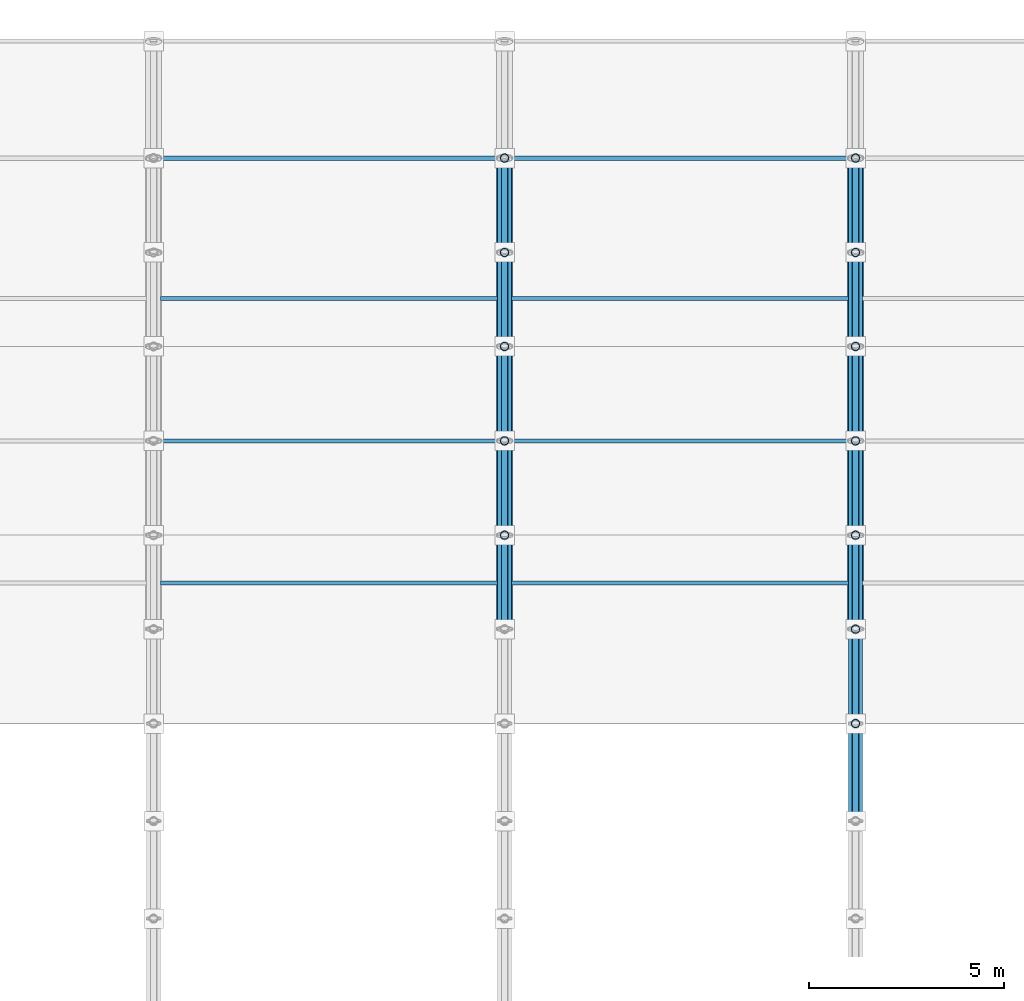
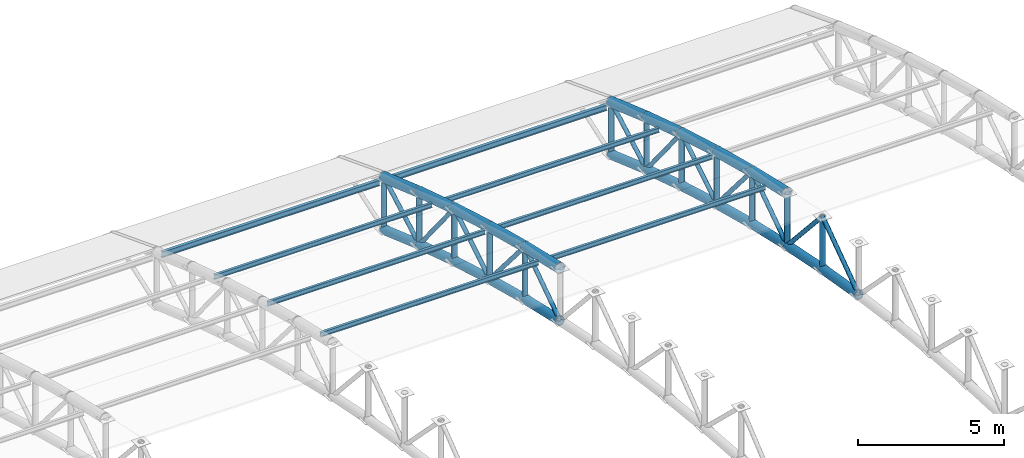
# One storey, part 89 of 195: 54 members.
"""IFC4 building model written with IfcOpenShell, lengths in metres."""

import ifcopenshell
import ifcopenshell.guid

model = None  # the IFC model being written
_history = None  # IfcOwnerHistory: only IFC2X3 demands one
_inside = {}  # id of a spatial element -> (the spatial element, [elements in it])
_under = {}  # id of a project, library or spatial element -> (it, [spatial elements below it])
_declared = {}  # id of a project -> (the project, [libraries it declares])
_typed = {}  # id of a type object -> (the type object, [elements of that type])
_made_of = {}  # id of a material, layer set ... -> (it, [elements and type objects made of it])


def new_model(schema):
    """Start an empty IFC model of exactly this schema.

    Asked for "IFC4X3", IfcOpenShell would pick the latest addendum, in which some entities
    have other attributes; the version numbers below select the first issue.
    IFC2X3 requires an IfcOwnerHistory on every rooted entity: one is made here for all.
    """
    global model, _history
    if schema == "IFC4X3":
        model = ifcopenshell.file(schema_version=(4, 3, 0, 0))
    else:
        model = ifcopenshell.file(schema=schema)
    _inside.clear()
    _under.clear()
    _declared.clear()
    _typed.clear()
    _made_of.clear()
    _history = None
    if model.schema == "IFC2X3":
        org = make("IfcOrganization", Name="unknown")
        user = make(
            "IfcPersonAndOrganization",
            ThePerson=make("IfcPerson", FamilyName="unknown"),
            TheOrganization=org,
        )
        app = make(
            "IfcApplication",
            ApplicationDeveloper=org,
            Version="unknown",
            ApplicationFullName="unknown",
            ApplicationIdentifier="unknown",
        )
        _history = make(
            "IfcOwnerHistory",
            OwningUser=user,
            OwningApplication=app,
            ChangeAction="ADDED",
            CreationDate=0,
        )
    return model


def make(cls, **values):
    """One entity of the class cls with the attributes given. An attribute that is None is left unset."""
    return model.create_entity(
        cls, **{name: value for name, value in values.items() if value is not None}
    )


def rooted(cls, **values):
    """An entity with a GlobalId (a new one), such as an element, a storey or a relation."""
    return make(cls, GlobalId=ifcopenshell.guid.new(), OwnerHistory=_history, **values)


def si_unit(unit_type, name, prefix=None):
    """IfcSIUnit, for example si_unit("LENGTHUNIT", "METRE", prefix="MILLI")."""
    return make("IfcSIUnit", UnitType=unit_type, Prefix=prefix, Name=name)


def assignment(units):
    """IfcUnitAssignment: the units of a project."""
    return None if units is None else make("IfcUnitAssignment", Units=units)


def point(xyz):
    """IfcCartesianPoint."""
    return None if xyz is None else make("IfcCartesianPoint", Coordinates=xyz)


def direction(xyz):
    """IfcDirection."""
    return None if xyz is None else make("IfcDirection", DirectionRatios=xyz)


def frame(location, z_axis=None, x_axis=None):
    """IfcAxis2Placement3D, a coordinate frame: its origin and axes. An axis left out is left unset."""
    return make(
        "IfcAxis2Placement3D",
        Location=point(location),
        Axis=direction(z_axis),
        RefDirection=direction(x_axis),
    )


def frame_2d(location, x_axis=None):
    """IfcAxis2Placement2D, a coordinate frame in the plane: its origin and x axis."""
    return make(
        "IfcAxis2Placement2D", Location=point(location), RefDirection=direction(x_axis)
    )


def origin():
    """The frame at (0, 0, 0) with its axes left unset."""
    return frame((0.0, 0.0, 0.0))


def origin_2d():
    """The frame at (0, 0) in the plane with its x axis left unset."""
    return frame_2d((0.0, 0.0))


def place(relative_to, where):
    """IfcLocalPlacement: puts the frame where relative to a parent placement (None: the world)."""
    return make(
        "IfcLocalPlacement", PlacementRelTo=relative_to, RelativePlacement=where
    )


def context(
    kind, dimensions, precision=None, world=None, true_north=None, identifier=None
):
    """IfcGeometricRepresentationContext, for example the 3D "Model" context."""
    return make(
        "IfcGeometricRepresentationContext",
        ContextIdentifier=identifier,
        ContextType=kind,
        CoordinateSpaceDimension=dimensions,
        Precision=precision,
        WorldCoordinateSystem=world,
        TrueNorth=true_north,
    )


def subcontext(parent, identifier, kind, view, scale=None):
    """IfcGeometricRepresentationSubContext, for example "Body" below "Model"."""
    return make(
        "IfcGeometricRepresentationSubContext",
        ContextIdentifier=identifier,
        ContextType=kind,
        ParentContext=parent,
        TargetScale=scale,
        TargetView=view,
    )


def project(units=None, contexts=None):
    """IfcProject with its units and contexts."""
    return rooted(
        "IfcProject",
        Name="project",
        RepresentationContexts=contexts,
        UnitsInContext=assignment(units),
    )


def spatial(cls, under=None, at=None, **own):
    """A site, building, storey or space (cls), placed at a placement, below another one or the project."""
    s = rooted(cls, ObjectPlacement=at, **own)
    if under is not None:
        _under.setdefault(under.id(), (under, []))[1].append(s)
    return s


def profile(cls, at=None, kind="AREA", **sizes):
    """A parametric profile (cls). Its sizes go by their IFC names, for example OverallWidth=200.0."""
    return make(cls, ProfileType=kind, Position=at, **sizes)


def hollow_circle(**sizes):
    """IfcCircleHollowProfileDef."""
    return profile("IfcCircleHollowProfileDef", **sizes)


def i_section(**sizes):
    """IfcIShapeProfileDef."""
    return profile("IfcIShapeProfileDef", **sizes)


def extrude(swept, where, along, depth):
    """IfcExtrudedAreaSolid: the profile swept, set in the frame where, extruded along a direction by depth."""
    return make(
        "IfcExtrudedAreaSolid",
        SweptArea=swept,
        Position=where,
        ExtrudedDirection=direction(along),
        Depth=depth,
    )


def shape(context_of_items, identifier, shape_type, items):
    """IfcShapeRepresentation: the items that make up one representation, for example the "Body"."""
    return make(
        "IfcShapeRepresentation",
        ContextOfItems=context_of_items,
        RepresentationIdentifier=identifier,
        RepresentationType=shape_type,
        Items=items,
    )


def material(Name=None, Category=None):
    """IfcMaterial."""
    return make("IfcMaterial", Name=Name, Category=Category)


def material_profile(
    of_material, cross_section, Name=None, Category=None, Priority=None
):
    """IfcMaterialProfile: a cross section and its material."""
    return make(
        "IfcMaterialProfile",
        Name=Name,
        Material=of_material,
        Profile=cross_section,
        Priority=Priority,
        Category=Category,
    )


def profile_set(profiles, Name=None, composite=None):
    """IfcMaterialProfileSet."""
    return make(
        "IfcMaterialProfileSet",
        Name=Name,
        MaterialProfiles=profiles,
        CompositeProfile=composite,
    )


def made_of(thing, what):
    """Note that an element or type object is made of a material, layer set ...; save() writes the relation."""
    if what is not None:
        _made_of.setdefault(what.id(), (what, []))[1].append(thing)
    return thing


def type_object(cls, material=None, **own):
    """A type object (cls), such as IfcWallType, which elements share."""
    return made_of(rooted(cls, **own), material)


def element(
    cls,
    number,
    at=None,
    inside=None,
    cuts=None,
    type_object=None,
    material=None,
    context=None,
    identifier="Body",
    shape_type=None,
    held_by="IfcProductDefinitionShape",
    body=None,
    shapes=None,
    **own,
):
    """One element of the class cls, such as IfcWall. Its Tag is "e" and its number.

    at: its placement. inside: the storey or other place that contains it. cuts: it is an
    opening in that element (IfcRelVoidsElement). A single representation is given by context,
    identifier, shape_type and body (its items); several are given by shapes. held_by: the class
    of the entity that holds the representations. save() writes the other relations.
    """
    e = rooted(cls, Tag="e%d" % number, ObjectPlacement=at, **own)
    if body is not None:
        shapes = [shape(context, identifier, shape_type, body)]
    if shapes is not None:
        e.Representation = make(held_by, Representations=shapes)
    if inside is not None:
        _inside.setdefault(inside.id(), (inside, []))[1].append(e)
    if cuts is not None:
        rooted(
            "IfcRelVoidsElement", RelatingBuildingElement=cuts, RelatedOpeningElement=e
        )
    if type_object is not None:
        _typed.setdefault(type_object.id(), (type_object, []))[1].append(e)
    return made_of(e, material)


def aggregate(whole, parts):
    """IfcRelAggregates: a whole, such as a stair, and the parts it consists of."""
    return rooted("IfcRelAggregates", RelatingObject=whole, RelatedObjects=parts)


def save(model, path):
    """Write the relations noted so far, then the file.

    IfcRelAggregates (storeys below a building ...), IfcRelContainedInSpatialStructure (elements
    in a storey), IfcRelDefinesByType, IfcRelAssociatesMaterial and IfcRelDeclares: one each for
    every whole, place, type object, material and project.
    """
    for whole, parts in _under.values():
        aggregate(whole, parts)
    for where, things in _inside.values():
        rooted(
            "IfcRelContainedInSpatialStructure",
            RelatedElements=things,
            RelatingStructure=where,
        )
    for kind, things in _typed.values():
        rooted("IfcRelDefinesByType", RelatedObjects=things, RelatingType=kind)
    for what, things in _made_of.values():
        rooted("IfcRelAssociatesMaterial", RelatedObjects=things, RelatingMaterial=what)
    for by, libraries in _declared.values():
        rooted("IfcRelDeclares", RelatingContext=by, RelatedDefinitions=libraries)
    model.write(path)


model = new_model("IFC4")

# Units and contexts
model_context = context("Model", 3, precision=1e-05, world=origin(), true_north=direction((0.0, 1.0)))
body_context = subcontext(model_context, "Body", "Model", "MODEL_VIEW")
ifc_project = project(units=[si_unit("LENGTHUNIT", "METRE"), si_unit("AREAUNIT", "SQUARE_METRE"), si_unit("VOLUMEUNIT", "CUBIC_METRE"), si_unit("PLANEANGLEUNIT", "RADIAN"), si_unit("MASSUNIT", "GRAM", prefix="KILO")], contexts=[model_context])

# Site, building, storey
site_placement = place(None, origin())
site = spatial("IfcSite", under=ifc_project, at=site_placement, CompositionType="ELEMENT")
building_placement = place(site_placement, origin())
building = spatial("IfcBuilding", under=site, at=building_placement, Name="Marlcrest Central Station", CompositionType="ELEMENT")
storey_placement = place(building_placement, frame((0.0, 0.0, 9.800048828125)))
storey = spatial("IfcBuildingStorey", under=building, at=storey_placement, Name="L02", CompositionType="ELEMENT", Elevation=9.800048828125)

# Members
ifc_material = material(Name="Steel S355", Category="steel")
ifc_material_profile_1 = material_profile(ifc_material, hollow_circle(Radius=0.203125, WallThickness=0.02001953125, at=origin_2d()), Name="CHS 406.4x20")
ifc_profile_set_1 = profile_set([ifc_material_profile_1], Name="Steel S355")
member_type_1 = type_object("IfcMemberType", Name="AC-01", PredefinedType="CHORD", material=ifc_profile_set_1)
member_1_placement = place(storey_placement, frame((198.0, 83.419921875, 5.116943359375), z_axis=(0.0, 0.974329612642, -0.225126200004), x_axis=(-1.0, 0.0, 0.0)))
element("IfcMember", 1, at=member_1_placement, inside=storey, type_object=member_type_1, Name="mem-AC-01-L02-01864", PredefinedType="CHORD", context=body_context, shape_type="SweptSolid", body=[
    extrude(hollow_circle(Radius=0.203125, WallThickness=0.02001953125, at=origin_2d()), origin(), (0.0, 0.0, 1.0), 2.4736328125),
])
member_2_placement = place(storey_placement, frame((198.0, 85.830078125, 4.56005859375), z_axis=(0.0, 0.967539481681, -0.252719906989), x_axis=(-1.0, 0.0, 0.0)))
element("IfcMember", 2, at=member_2_placement, inside=storey, type_object=member_type_1, Name="mem-AC-01-L02-01868", PredefinedType="CHORD", context=body_context, shape_type="SweptSolid", body=[
    extrude(hollow_circle(Radius=0.203125, WallThickness=0.02001953125, at=origin_2d()), origin(), (0.0, 0.0, 1.0), 2.501220703125),
])
member_3_placement = place(storey_placement, frame((198.0, 88.25, 3.927978515625), z_axis=(0.0, 0.960130083362, -0.27955361386), x_axis=(-1.0, 0.0, 0.0)))
element("IfcMember", 3, at=member_3_placement, inside=storey, type_object=member_type_1, Name="mem-AC-01-L02-01872", PredefinedType="CHORD", context=body_context, shape_type="SweptSolid", body=[
    extrude(hollow_circle(Radius=0.203125, WallThickness=0.02001953125, at=origin_2d()), origin(), (0.0, 0.0, 1.0), 2.5205078125),
])
member_4_placement = place(storey_placement, frame((198.0, 90.669921875, 3.223388671875), z_axis=(0.0, 0.952116828449, -0.305734435391), x_axis=(-1.0, 0.0, 0.0)))
element("IfcMember", 4, at=member_4_placement, inside=storey, type_object=member_type_1, Name="mem-AC-01-L02-01876", PredefinedType="CHORD", context=body_context, shape_type="SweptSolid", body=[
    extrude(hollow_circle(Radius=0.203125, WallThickness=0.02001953125, at=origin_2d()), origin(), (0.0, 0.0, 1.0), 2.53125),
])
member_5_placement = place(storey_placement, frame((198.0, 93.080078125, 2.449462890625), z_axis=(0.0, 0.94353735649, -0.331266142109), x_axis=(-1.0, 0.0, 0.0)))
element("IfcMember", 5, at=member_5_placement, inside=storey, type_object=member_type_1, Name="mem-AC-01-L02-01880", PredefinedType="CHORD", context=body_context, shape_type="SweptSolid", body=[
    extrude(hollow_circle(Radius=0.203125, WallThickness=0.02001953125, at=origin_2d()), origin(), (0.0, 0.0, 1.0), 2.564697265625),
])
member_6_placement = place(storey_placement, frame((207.0, 83.419921875, 5.116943359375), z_axis=(0.0, 0.974329612642, -0.225126200004), x_axis=(-1.0, 0.0, 0.0)))
element("IfcMember", 6, at=member_6_placement, inside=storey, type_object=member_type_1, Name="mem-AC-01-L02-01980", PredefinedType="CHORD", context=body_context, shape_type="SweptSolid", body=[
    extrude(hollow_circle(Radius=0.203125, WallThickness=0.02001953125, at=origin_2d()), origin(), (0.0, 0.0, 1.0), 2.4736328125),
])
member_7_placement = place(storey_placement, frame((207.0, 85.830078125, 4.56005859375), z_axis=(0.0, 0.967539481681, -0.252719906989), x_axis=(-1.0, 0.0, 0.0)))
element("IfcMember", 7, at=member_7_placement, inside=storey, type_object=member_type_1, Name="mem-AC-01-L02-01984", PredefinedType="CHORD", context=body_context, shape_type="SweptSolid", body=[
    extrude(hollow_circle(Radius=0.203125, WallThickness=0.02001953125, at=origin_2d()), origin(), (0.0, 0.0, 1.0), 2.501220703125),
])
member_8_placement = place(storey_placement, frame((207.0, 88.25, 3.927978515625), z_axis=(0.0, 0.960130083362, -0.27955361386), x_axis=(-1.0, 0.0, 0.0)))
element("IfcMember", 8, at=member_8_placement, inside=storey, type_object=member_type_1, Name="mem-AC-01-L02-01988", PredefinedType="CHORD", context=body_context, shape_type="SweptSolid", body=[
    extrude(hollow_circle(Radius=0.203125, WallThickness=0.02001953125, at=origin_2d()), origin(), (0.0, 0.0, 1.0), 2.5205078125),
])
member_9_placement = place(storey_placement, frame((207.0, 90.669921875, 3.223388671875), z_axis=(0.0, 0.952116828449, -0.305734435391), x_axis=(-1.0, 0.0, 0.0)))
element("IfcMember", 9, at=member_9_placement, inside=storey, type_object=member_type_1, Name="mem-AC-01-L02-01992", PredefinedType="CHORD", context=body_context, shape_type="SweptSolid", body=[
    extrude(hollow_circle(Radius=0.203125, WallThickness=0.02001953125, at=origin_2d()), origin(), (0.0, 0.0, 1.0), 2.53125),
])
member_10_placement = place(storey_placement, frame((207.0, 93.080078125, 2.449462890625), z_axis=(0.0, 0.94353735649, -0.331266142109), x_axis=(-1.0, 0.0, 0.0)))
element("IfcMember", 10, at=member_10_placement, inside=storey, type_object=member_type_1, Name="mem-AC-01-L02-01996", PredefinedType="CHORD", context=body_context, shape_type="SweptSolid", body=[
    extrude(hollow_circle(Radius=0.203125, WallThickness=0.02001953125, at=origin_2d()), origin(), (0.0, 0.0, 1.0), 2.564697265625),
])
ifc_material_profile_2 = material_profile(ifc_material, hollow_circle(Radius=0.177734375, WallThickness=0.01611328125, at=origin_2d()), Name="CHS 355.6x16")
ifc_profile_set_2 = profile_set([ifc_material_profile_2], Name="Steel S355")
member_type_2 = type_object("IfcMemberType", Name="AC-02", PredefinedType="CHORD", material=ifc_profile_set_2)
member_11_placement = place(storey_placement, frame((198.0, 83.419921875, 2.9169921875), z_axis=(0.0, 0.974307959875, -0.225219891049), x_axis=(-1.0, 0.0, 0.0)))
element("IfcMember", 11, at=member_11_placement, inside=storey, type_object=member_type_2, Name="mem-AC-02-L02-01865", PredefinedType="CHORD", context=body_context, shape_type="SweptSolid", body=[
    extrude(hollow_circle(Radius=0.177734375, WallThickness=0.01611328125, at=origin_2d()), origin(), (0.0, 0.0, 1.0), 2.4736328125),
])
member_12_placement = place(storey_placement, frame((198.0, 85.830078125, 2.35986328125), z_axis=(0.0, 0.967563345928, -0.252628524946), x_axis=(-1.0, 0.0, 0.0)))
element("IfcMember", 12, at=member_12_placement, inside=storey, type_object=member_type_2, Name="mem-AC-02-L02-01869", PredefinedType="CHORD", context=body_context, shape_type="SweptSolid", body=[
    extrude(hollow_circle(Radius=0.177734375, WallThickness=0.01611328125, at=origin_2d()), origin(), (0.0, 0.0, 1.0), 2.5009765625),
])
member_13_placement = place(storey_placement, frame((198.0, 88.25, 1.72802734375), z_axis=(0.0, 0.960130083362, -0.27955361386), x_axis=(-1.0, 0.0, 0.0)))
element("IfcMember", 13, at=member_13_placement, inside=storey, type_object=member_type_2, Name="mem-AC-02-L02-01873", PredefinedType="CHORD", context=body_context, shape_type="SweptSolid", body=[
    extrude(hollow_circle(Radius=0.177734375, WallThickness=0.01611328125, at=origin_2d()), origin(), (0.0, 0.0, 1.0), 2.5205078125),
])
member_14_placement = place(storey_placement, frame((198.0, 90.669921875, 1.0234375), z_axis=(0.0, 0.952116828449, -0.305734435391), x_axis=(-1.0, 0.0, 0.0)))
element("IfcMember", 14, at=member_14_placement, inside=storey, type_object=member_type_2, Name="mem-AC-02-L02-01877", PredefinedType="CHORD", context=body_context, shape_type="SweptSolid", body=[
    extrude(hollow_circle(Radius=0.177734375, WallThickness=0.01611328125, at=origin_2d()), origin(), (0.0, 0.0, 1.0), 2.53125),
])
member_15_placement = place(storey_placement, frame((198.0, 93.080078125, 0.24951171875), z_axis=(0.0, 0.94353735649, -0.331266142109), x_axis=(-1.0, 0.0, 0.0)))
element("IfcMember", 15, at=member_15_placement, inside=storey, type_object=member_type_2, Name="mem-AC-02-L02-01881", PredefinedType="CHORD", context=body_context, shape_type="SweptSolid", body=[
    extrude(hollow_circle(Radius=0.177734375, WallThickness=0.01611328125, at=origin_2d()), origin(), (0.0, 0.0, 1.0), 2.564697265625),
])
member_16_placement = place(storey_placement, frame((207.0, 78.5, 3.83056640625), z_axis=(0.0, 0.98574109921, -0.168269086076), x_axis=(-1.0, 0.0, 0.0)))
element("IfcMember", 16, at=member_16_placement, inside=storey, type_object=member_type_2, Name="mem-AC-02-L02-01973", PredefinedType="CHORD", context=body_context, shape_type="SweptSolid", body=[
    extrude(hollow_circle(Radius=0.177734375, WallThickness=0.01611328125, at=origin_2d()), origin(), (0.0, 0.0, 1.0), 2.5361328125),
])
member_17_placement = place(storey_placement, frame((207.0, 81.0, 3.40380859375), z_axis=(0.0, 0.980359417961, -0.197219196874), x_axis=(-1.0, 0.0, 0.0)))
element("IfcMember", 17, at=member_17_placement, inside=storey, type_object=member_type_2, Name="mem-AC-02-L02-01977", PredefinedType="CHORD", context=body_context, shape_type="SweptSolid", body=[
    extrude(hollow_circle(Radius=0.177734375, WallThickness=0.01611328125, at=origin_2d()), origin(), (0.0, 0.0, 1.0), 2.468505859375),
])
member_18_placement = place(storey_placement, frame((207.0, 83.419921875, 2.9169921875), z_axis=(0.0, 0.974307959875, -0.225219891049), x_axis=(-1.0, 0.0, 0.0)))
element("IfcMember", 18, at=member_18_placement, inside=storey, type_object=member_type_2, Name="mem-AC-02-L02-01981", PredefinedType="CHORD", context=body_context, shape_type="SweptSolid", body=[
    extrude(hollow_circle(Radius=0.177734375, WallThickness=0.01611328125, at=origin_2d()), origin(), (0.0, 0.0, 1.0), 2.4736328125),
])
member_19_placement = place(storey_placement, frame((207.0, 85.830078125, 2.35986328125), z_axis=(0.0, 0.967563345928, -0.252628524946), x_axis=(-1.0, 0.0, 0.0)))
element("IfcMember", 19, at=member_19_placement, inside=storey, type_object=member_type_2, Name="mem-AC-02-L02-01985", PredefinedType="CHORD", context=body_context, shape_type="SweptSolid", body=[
    extrude(hollow_circle(Radius=0.177734375, WallThickness=0.01611328125, at=origin_2d()), origin(), (0.0, 0.0, 1.0), 2.5009765625),
])
member_20_placement = place(storey_placement, frame((207.0, 88.25, 1.72802734375), z_axis=(0.0, 0.960130083362, -0.27955361386), x_axis=(-1.0, 0.0, 0.0)))
element("IfcMember", 20, at=member_20_placement, inside=storey, type_object=member_type_2, Name="mem-AC-02-L02-01989", PredefinedType="CHORD", context=body_context, shape_type="SweptSolid", body=[
    extrude(hollow_circle(Radius=0.177734375, WallThickness=0.01611328125, at=origin_2d()), origin(), (0.0, 0.0, 1.0), 2.5205078125),
])
member_21_placement = place(storey_placement, frame((207.0, 90.669921875, 1.0234375), z_axis=(0.0, 0.952116828449, -0.305734435391), x_axis=(-1.0, 0.0, 0.0)))
element("IfcMember", 21, at=member_21_placement, inside=storey, type_object=member_type_2, Name="mem-AC-02-L02-01993", PredefinedType="CHORD", context=body_context, shape_type="SweptSolid", body=[
    extrude(hollow_circle(Radius=0.177734375, WallThickness=0.01611328125, at=origin_2d()), origin(), (0.0, 0.0, 1.0), 2.53125),
])
member_22_placement = place(storey_placement, frame((207.0, 93.080078125, 0.24951171875), z_axis=(0.0, 0.94353735649, -0.331266142109), x_axis=(-1.0, 0.0, 0.0)))
element("IfcMember", 22, at=member_22_placement, inside=storey, type_object=member_type_2, Name="mem-AC-02-L02-01997", PredefinedType="CHORD", context=body_context, shape_type="SweptSolid", body=[
    extrude(hollow_circle(Radius=0.177734375, WallThickness=0.01611328125, at=origin_2d()), origin(), (0.0, 0.0, 1.0), 2.564697265625),
])
ifc_material_profile_3 = material_profile(ifc_material, hollow_circle(Radius=0.084228515625, WallThickness=0.010009765625, at=origin_2d()), Name="CHS 168.3x10")
ifc_profile_set_3 = profile_set([ifc_material_profile_3], Name="Steel S355")
member_type_3 = type_object("IfcMemberType", Name="AD-01", PredefinedType="BRACE", material=ifc_profile_set_3)
member_23_placement = place(storey_placement, frame((198.0, 83.419921875, 2.9169921875), z_axis=(0.0, 0.82626275624, 0.563284881432), x_axis=(-1.0, 0.0, 0.0)))
element("IfcMember", 23, at=member_23_placement, inside=storey, type_object=member_type_3, Name="mem-AD-01-L02-01867", PredefinedType="BRACE", context=body_context, shape_type="SweptSolid", body=[
    extrude(hollow_circle(Radius=0.084228515625, WallThickness=0.010009765625, at=origin_2d()), origin(), (0.0, 0.0, 1.0), 2.9169921875),
])
member_24_placement = place(storey_placement, frame((198.0, 85.830078125, 4.56005859375), z_axis=(0.0, 0.649624779144, -0.760254987699), x_axis=(-1.0, 0.0, 0.0)))
element("IfcMember", 24, at=member_24_placement, inside=storey, type_object=member_type_3, Name="mem-AD-01-L02-01871", PredefinedType="BRACE", context=body_context, shape_type="SweptSolid", body=[
    extrude(hollow_circle(Radius=0.084228515625, WallThickness=0.010009765625, at=origin_2d()), origin(), (0.0, 0.0, 1.0), 3.72509765625),
])
member_25_placement = place(storey_placement, frame((198.0, 88.25, 1.72802734375), z_axis=(0.0, 0.850687380038, 0.525671933286), x_axis=(-1.0, 0.0, 0.0)))
element("IfcMember", 25, at=member_25_placement, inside=storey, type_object=member_type_3, Name="mem-AD-01-L02-01875", PredefinedType="BRACE", context=body_context, shape_type="SweptSolid", body=[
    extrude(hollow_circle(Radius=0.084228515625, WallThickness=0.010009765625, at=origin_2d()), origin(), (0.0, 0.0, 1.0), 2.8447265625),
])
member_26_placement = place(storey_placement, frame((198.0, 90.669921875, 3.223388671875), z_axis=(0.0, 0.62962929743, -0.776895712318), x_axis=(-1.0, 0.0, 0.0)))
element("IfcMember", 26, at=member_26_placement, inside=storey, type_object=member_type_3, Name="mem-AD-01-L02-01879", PredefinedType="BRACE", context=body_context, shape_type="SweptSolid", body=[
    extrude(hollow_circle(Radius=0.084228515625, WallThickness=0.010009765625, at=origin_2d()), origin(), (0.0, 0.0, 1.0), 3.827880859375),
])
member_27_placement = place(storey_placement, frame((198.0, 93.080078125, 0.24951171875), z_axis=(0.0, 0.873245653167, 0.487280236851), x_axis=(-1.0, 0.0, 0.0)))
element("IfcMember", 27, at=member_27_placement, inside=storey, type_object=member_type_3, Name="mem-AD-01-L02-01883", PredefinedType="BRACE", context=body_context, shape_type="SweptSolid", body=[
    extrude(hollow_circle(Radius=0.084228515625, WallThickness=0.010009765625, at=origin_2d()), origin(), (0.0, 0.0, 1.0), 2.771240234375),
])
member_28_placement = place(storey_placement, frame((207.0, 78.5, 3.83056640625), z_axis=(0.0, 0.815661132754, 0.57852996164), x_axis=(-1.0, 0.0, 0.0)))
element("IfcMember", 28, at=member_28_placement, inside=storey, type_object=member_type_3, Name="mem-AD-01-L02-01975", PredefinedType="BRACE", context=body_context, shape_type="SweptSolid", body=[
    extrude(hollow_circle(Radius=0.084228515625, WallThickness=0.010009765625, at=origin_2d()), origin(), (0.0, 0.0, 1.0), 3.06494140625),
])
member_29_placement = place(storey_placement, frame((207.0, 81.0, 5.603759765625), z_axis=(0.0, 0.669244457479, -0.743042297675), x_axis=(-1.0, 0.0, 0.0)))
element("IfcMember", 29, at=member_29_placement, inside=storey, type_object=member_type_3, Name="mem-AD-01-L02-01979", PredefinedType="BRACE", context=body_context, shape_type="SweptSolid", body=[
    extrude(hollow_circle(Radius=0.084228515625, WallThickness=0.010009765625, at=origin_2d()), origin(), (0.0, 0.0, 1.0), 3.615966796875),
])
member_30_placement = place(storey_placement, frame((207.0, 83.419921875, 2.9169921875), z_axis=(0.0, 0.82626275624, 0.563284881432), x_axis=(-1.0, 0.0, 0.0)))
element("IfcMember", 30, at=member_30_placement, inside=storey, type_object=member_type_3, Name="mem-AD-01-L02-01983", PredefinedType="BRACE", context=body_context, shape_type="SweptSolid", body=[
    extrude(hollow_circle(Radius=0.084228515625, WallThickness=0.010009765625, at=origin_2d()), origin(), (0.0, 0.0, 1.0), 2.9169921875),
])
member_31_placement = place(storey_placement, frame((207.0, 85.830078125, 4.56005859375), z_axis=(0.0, 0.649624779144, -0.760254987699), x_axis=(-1.0, 0.0, 0.0)))
element("IfcMember", 31, at=member_31_placement, inside=storey, type_object=member_type_3, Name="mem-AD-01-L02-01987", PredefinedType="BRACE", context=body_context, shape_type="SweptSolid", body=[
    extrude(hollow_circle(Radius=0.084228515625, WallThickness=0.010009765625, at=origin_2d()), origin(), (0.0, 0.0, 1.0), 3.72509765625),
])
member_32_placement = place(storey_placement, frame((207.0, 88.25, 1.72802734375), z_axis=(0.0, 0.850687380038, 0.525671933286), x_axis=(-1.0, 0.0, 0.0)))
element("IfcMember", 32, at=member_32_placement, inside=storey, type_object=member_type_3, Name="mem-AD-01-L02-01991", PredefinedType="BRACE", context=body_context, shape_type="SweptSolid", body=[
    extrude(hollow_circle(Radius=0.084228515625, WallThickness=0.010009765625, at=origin_2d()), origin(), (0.0, 0.0, 1.0), 2.8447265625),
])
member_33_placement = place(storey_placement, frame((207.0, 90.669921875, 3.223388671875), z_axis=(0.0, 0.62962929743, -0.776895712318), x_axis=(-1.0, 0.0, 0.0)))
element("IfcMember", 33, at=member_33_placement, inside=storey, type_object=member_type_3, Name="mem-AD-01-L02-01995", PredefinedType="BRACE", context=body_context, shape_type="SweptSolid", body=[
    extrude(hollow_circle(Radius=0.084228515625, WallThickness=0.010009765625, at=origin_2d()), origin(), (0.0, 0.0, 1.0), 3.827880859375),
])
member_34_placement = place(storey_placement, frame((207.0, 93.080078125, 0.24951171875), z_axis=(0.0, 0.873245653167, 0.487280236851), x_axis=(-1.0, 0.0, 0.0)))
element("IfcMember", 34, at=member_34_placement, inside=storey, type_object=member_type_3, Name="mem-AD-01-L02-01999", PredefinedType="BRACE", context=body_context, shape_type="SweptSolid", body=[
    extrude(hollow_circle(Radius=0.084228515625, WallThickness=0.010009765625, at=origin_2d()), origin(), (0.0, 0.0, 1.0), 2.771240234375),
])
ifc_material_profile_4 = material_profile(ifc_material, hollow_circle(Radius=0.109619140625, WallThickness=0.012451171875, at=origin_2d()), Name="CHS 219.1x12.5")
ifc_profile_set_4 = profile_set([ifc_material_profile_4], Name="Steel S355")
member_type_4 = type_object("IfcMemberType", Name="AP-01", PredefinedType="POST", material=ifc_profile_set_4)
member_35_placement = place(storey_placement, frame((198.0, 85.830078125, 2.35986328125), z_axis=(0.0, 0.0, 1.0), x_axis=(1.0, 0.0, 0.0)))
element("IfcMember", 35, at=member_35_placement, inside=storey, type_object=member_type_4, Name="mem-AP-01-L02-01870", PredefinedType="POST", context=body_context, shape_type="SweptSolid", body=[
    extrude(hollow_circle(Radius=0.109619140625, WallThickness=0.012451171875, at=origin_2d()), origin(), (0.0, 0.0, 1.0), 2.2001953125),
])
for number, where, z_axis, x_axis, name in (
    (36, (198.0, 88.25, 1.72802734375), (0.0, 0.0, 1.0), (1.0, 0.0, 0.0), "mem-AP-01-L02-01874"),
    (37, (198.0, 90.669921875, 1.0234375), (0.0, 0.0, 1.0), (1.0, 0.0, 0.0), "mem-AP-01-L02-01878"),
    (38, (198.0, 93.080078125, 0.24951171875), (0.0, 0.0, 1.0), (1.0, 0.0, 0.0), "mem-AP-01-L02-01882"),
    (39, (198.0, 95.5, -0.60009765625), (0.0, 0.0, 1.0), (1.0, 0.0, 0.0), "mem-AP-01-L02-01885"),
    (40, (207.0, 81.0, 3.40380859375), (0.0, 0.0, 1.0), (1.0, 0.0, 0.0), "mem-AP-01-L02-01978"),
    (41, (207.0, 83.419921875, 2.9169921875), (0.0, 0.0, 1.0), (1.0, 0.0, 0.0), "mem-AP-01-L02-01982"),
):
    element("IfcMember", number, at=place(storey_placement, frame(where, z_axis=z_axis, x_axis=x_axis)), inside=storey, type_object=member_type_4, Name=name, PredefinedType="POST", context=body_context, shape_type="SweptSolid", body=[
        extrude(hollow_circle(Radius=0.109619140625, WallThickness=0.012451171875, at=origin_2d()), origin(), (0.0, 0.0, 1.0), 2.199951171875),
    ])
member_36_placement = place(storey_placement, frame((207.0, 85.830078125, 2.35986328125), z_axis=(0.0, 0.0, 1.0), x_axis=(1.0, 0.0, 0.0)))
element("IfcMember", 42, at=member_36_placement, inside=storey, type_object=member_type_4, Name="mem-AP-01-L02-01986", PredefinedType="POST", context=body_context, shape_type="SweptSolid", body=[
    extrude(hollow_circle(Radius=0.109619140625, WallThickness=0.012451171875, at=origin_2d()), origin(), (0.0, 0.0, 1.0), 2.2001953125),
])
for number, where, z_axis, x_axis, name in (
    (43, (207.0, 88.25, 1.72802734375), (0.0, 0.0, 1.0), (1.0, 0.0, 0.0), "mem-AP-01-L02-01990"),
    (44, (207.0, 90.669921875, 1.0234375), (0.0, 0.0, 1.0), (1.0, 0.0, 0.0), "mem-AP-01-L02-01994"),
    (45, (207.0, 93.080078125, 0.24951171875), (0.0, 0.0, 1.0), (1.0, 0.0, 0.0), "mem-AP-01-L02-01998"),
    (46, (207.0, 95.5, -0.60009765625), (0.0, 0.0, 1.0), (1.0, 0.0, 0.0), "mem-AP-01-L02-02001"),
):
    element("IfcMember", number, at=place(storey_placement, frame(where, z_axis=z_axis, x_axis=x_axis)), inside=storey, type_object=member_type_4, Name=name, PredefinedType="POST", context=body_context, shape_type="SweptSolid", body=[
        extrude(hollow_circle(Radius=0.109619140625, WallThickness=0.012451171875, at=origin_2d()), origin(), (0.0, 0.0, 1.0), 2.199951171875),
    ])
ifc_material_profile_5 = material_profile(ifc_material, i_section(OverallWidth=0.10009765625, OverallDepth=0.199951171875, WebThickness=0.005615234375, FlangeThickness=0.008544921875, FilletRadius=0.011962890625, at=origin_2d()), Name="IPE 200")
ifc_profile_set_5 = profile_set([ifc_material_profile_5], Name="Steel S355")
member_type_5 = type_object("IfcMemberType", Name="PR-01", PredefinedType="PURLIN", material=ifc_profile_set_5)
for number, where, z_axis, x_axis, name in (
    (47, (189.179931640625, 84.60009765625, 4.713134765625), (1.0, 0.0, 0.0), (0.0, 1.0, 0.0), "mem-PR-01-L02-01781"),
    (48, (189.179931640625, 88.25, 3.7880859375), (1.0, 0.0, 0.0), (0.0, 1.0, 0.0), "mem-PR-01-L02-01782"),
    (49, (189.179931640625, 91.89990234375, 2.697509765625), (1.0, 0.0, 0.0), (0.0, 1.0, 0.0), "mem-PR-01-L02-01783"),
    (50, (198.179931640625, 84.60009765625, 4.713134765625), (1.0, 0.0, 0.0), (0.0, 1.0, 0.0), "mem-PR-01-L02-01897"),
    (51, (198.179931640625, 88.25, 3.7880859375), (1.0, 0.0, 0.0), (0.0, 1.0, 0.0), "mem-PR-01-L02-01898"),
    (52, (198.179931640625, 91.89990234375, 2.697509765625), (1.0, 0.0, 0.0), (0.0, 1.0, 0.0), "mem-PR-01-L02-01899"),
):
    element("IfcMember", number, at=place(storey_placement, frame(where, z_axis=z_axis, x_axis=x_axis)), inside=storey, type_object=member_type_5, Name=name, PredefinedType="PURLIN", context=body_context, shape_type="SweptSolid", body=[
        extrude(i_section(OverallWidth=0.10009765625, OverallDepth=0.199951171875, WebThickness=0.005615234375, FlangeThickness=0.008544921875, FilletRadius=0.011962890625, at=origin_2d()), origin(), (0.0, 0.0, 1.0), 8.64013671875),
    ])
ifc_material_profile_6 = material_profile(ifc_material, i_section(OverallWidth=0.1201171875, OverallDepth=0.239990234375, WebThickness=0.006103515625, FlangeThickness=0.009765625, FilletRadius=0.014892578125, at=origin_2d()), Name="IPE 240")
ifc_profile_set_6 = profile_set([ifc_material_profile_6], Name="Steel S355")
member_type_6 = type_object("IfcMemberType", Name="PR-02", PredefinedType="PURLIN", material=ifc_profile_set_6)
for number, where, z_axis, x_axis, name in (
    (53, (189.179931640625, 95.5, 1.4599609375), (1.0, 0.0, 0.0), (0.0, 1.0, 0.0), "mem-PR-02-L02-01784"),
    (54, (198.179931640625, 95.5, 1.4599609375), (1.0, 0.0, 0.0), (0.0, 1.0, 0.0), "mem-PR-02-L02-01900"),
):
    element("IfcMember", number, at=place(storey_placement, frame(where, z_axis=z_axis, x_axis=x_axis)), inside=storey, type_object=member_type_6, Name=name, PredefinedType="PURLIN", context=body_context, shape_type="SweptSolid", body=[
        extrude(i_section(OverallWidth=0.1201171875, OverallDepth=0.239990234375, WebThickness=0.006103515625, FlangeThickness=0.009765625, FilletRadius=0.014892578125, at=origin_2d()), origin(), (0.0, 0.0, 1.0), 8.64013671875),
    ])

save(model, "model.ifc")
